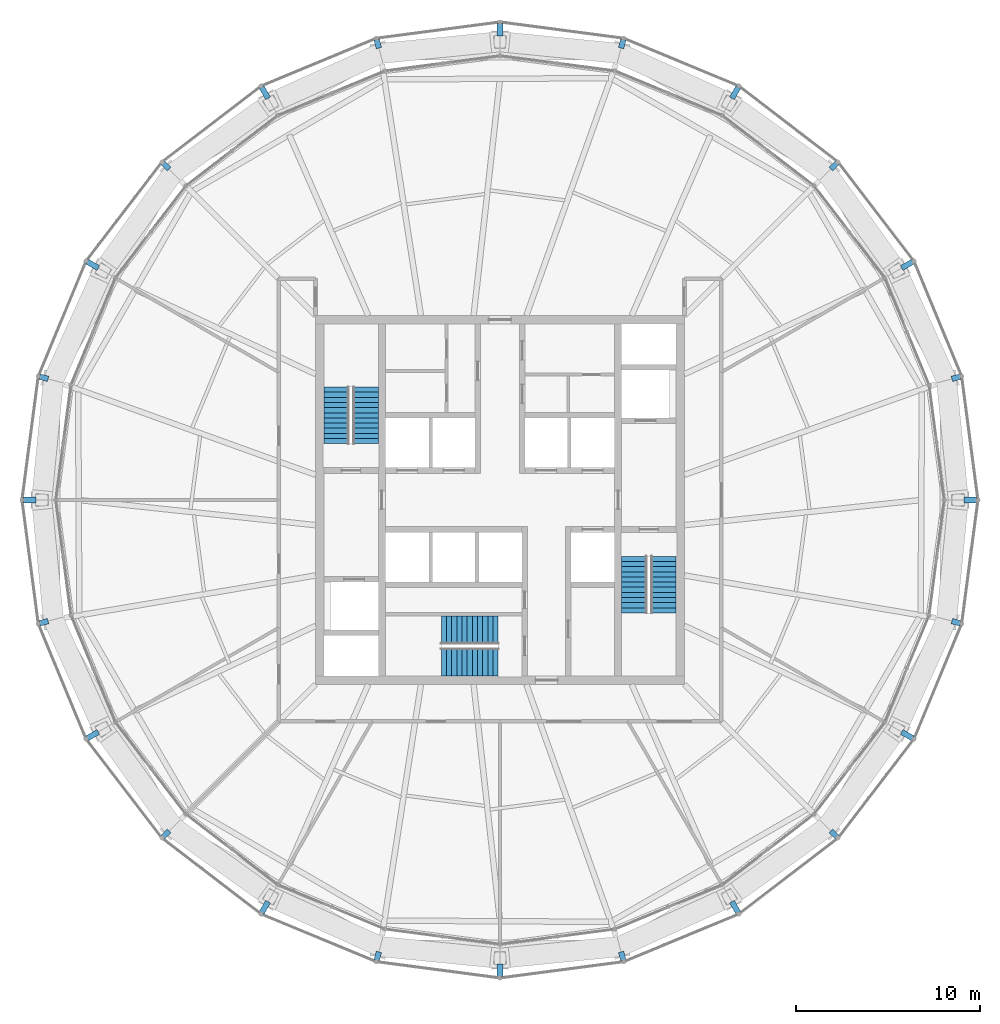
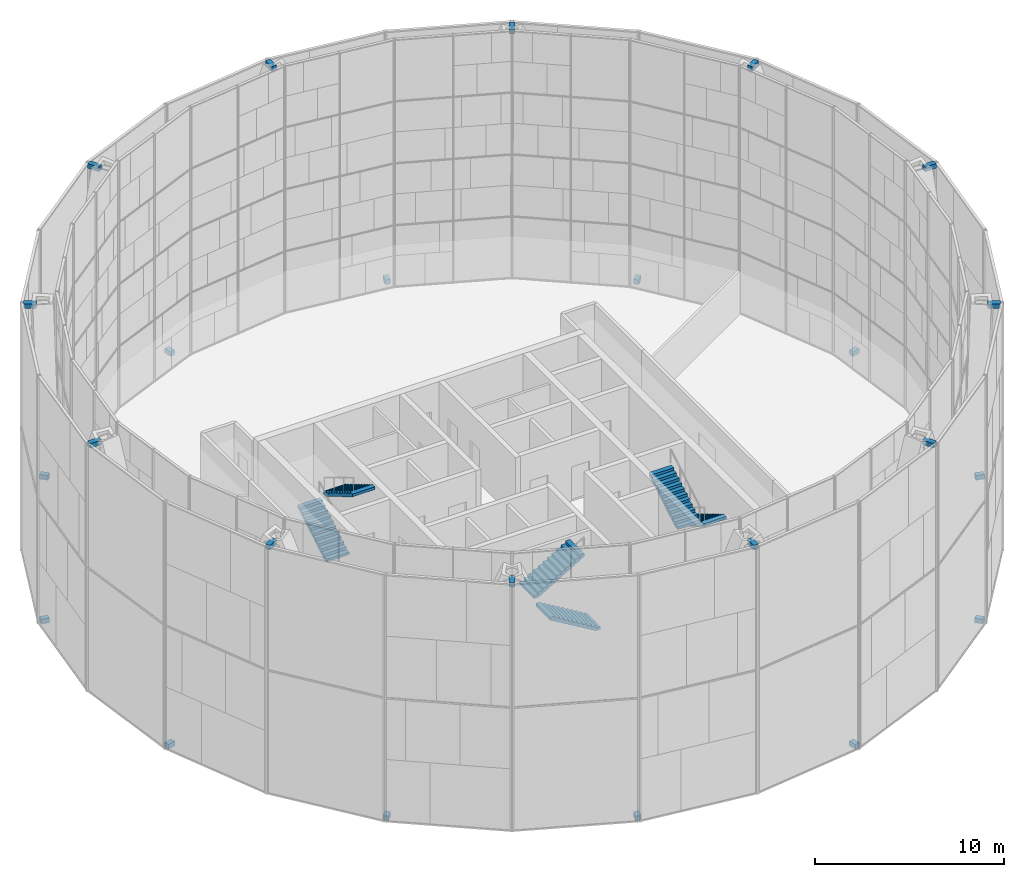
# One storey, part 29 of 30: 24 discrete accessories, 6 stair flights, 3 elements without a shape of their own.
"""IFC4 building model written with IfcOpenShell, lengths in metres."""

from ifc_helpers import new_model, si_unit, direction, frame, origin, origin_2d, place, context, subcontext, project, spatial, polyline, rectangle, outline, extrude, material, type_object, element, aggregate, save


model = new_model("IFC4")

# Units and contexts
model_context = context("Model", 3, precision=1e-05, world=origin(), true_north=direction((0.0, 1.0)))
body_context = subcontext(model_context, "Body", "Model", "MODEL_VIEW")
ifc_project = project(units=[si_unit("LENGTHUNIT", "METRE"), si_unit("AREAUNIT", "SQUARE_METRE"), si_unit("VOLUMEUNIT", "CUBIC_METRE"), si_unit("PLANEANGLEUNIT", "RADIAN"), si_unit("MASSUNIT", "GRAM", prefix="KILO")], contexts=[model_context])

# Site, building, storey
site_placement = place(None, origin())
site = spatial("IfcSite", under=ifc_project, at=site_placement, CompositionType="ELEMENT")
building_placement = place(site_placement, origin())
building = spatial("IfcBuilding", under=site, at=building_placement, Name="Golbaran Civic Tower", CompositionType="ELEMENT")
storey_placement = place(building_placement, frame((0.0, 0.0, 167.0)))
storey = spatial("IfcBuildingStorey", under=building, at=storey_placement, Name="L40", CompositionType="ELEMENT", Elevation=167.0)

# Stair, stair flights
ifc_material_1 = material(Name="Concrete C35/45", Category="concrete")
stair_type_1 = type_object("IfcStairType", Name="EXIT STAIR 2950 x 7800, 4000 RISE", PredefinedType="HALF_TURN_STAIR", material=ifc_material_1)
stair_1_placement = place(storey_placement, origin())
stair_1 = element("IfcStair", 1, at=stair_1_placement, inside=storey, type_object=stair_type_1, Name="Stair S1 L40", PredefinedType="HALF_TURN_STAIR")
stair_flight_type_1 = type_object("IfcStairFlightType", Name="STAIR FLIGHT 1375 WIDE", PredefinedType="STRAIGHT", material=ifc_material_1)
stair_flight_1_placement = place(storey_placement, frame((-8.862548828125, 3.050048828125, 0.0), z_axis=(0.0, 0.0, 1.0), x_axis=(0.0, 1.0, 0.0)))
stair_flight_1 = element("IfcStairFlight", 2, at=stair_flight_1_placement, type_object=stair_flight_type_1, Name="ST29578-40 flight 1", NumberOfRisers=12, NumberOfTreads=11, PredefinedType="STRAIGHT", RiserHeight=0.166666667, TreadLength=0.28, context=body_context, shape_type="SweptSolid", body=[
    extrude(outline(polyline([(0.0, 0.0), (0.0, 0.166748046875), (0.280029296875, 0.166748046875), (0.280029296875, 0.333251953125), (0.56005859375, 0.333251953125), (0.56005859375, 0.5), (0.840087890625, 0.5), (0.840087890625, 0.666748046875), (1.1201171875, 0.666748046875), (1.1201171875, 0.833251953125), (1.39990234375, 0.833251953125), (1.39990234375, 1.0), (1.679931640625, 1.0), (1.679931640625, 1.166748046875), (1.9599609375, 1.166748046875), (1.9599609375, 1.333251953125), (2.239990234375, 1.333251953125), (2.239990234375, 1.5), (2.52001953125, 1.5), (2.52001953125, 1.666748046875), (2.800048828125, 1.666748046875), (2.800048828125, 1.833251953125), (3.080078125, 1.833251953125), (3.080078125, 2.0), (3.080078125, 1.658935546875), (0.29296875, 0.0), (0.0, 0.0)])), frame((0.0, 0.6875, 0.0), z_axis=(0.0, -1.0, 0.0), x_axis=(1.0, 0.0, 0.0)), (0.0, 0.0, 1.0), 1.375),
])
stair_flight_2_placement = place(storey_placement, frame((-7.28759765625, 6.1298828125, 2.0), z_axis=(0.0, 0.0, 1.0), x_axis=(0.0, -1.0, 0.0)))
stair_flight_2 = element("IfcStairFlight", 3, at=stair_flight_2_placement, type_object=stair_flight_type_1, Name="ST29578-40 flight 2", NumberOfRisers=12, NumberOfTreads=11, PredefinedType="STRAIGHT", RiserHeight=0.166666667, TreadLength=0.28, context=body_context, shape_type="SweptSolid", body=[
    extrude(outline(polyline([(0.0, 0.0), (0.0, 0.166748046875), (0.280029296875, 0.166748046875), (0.280029296875, 0.333251953125), (0.56005859375, 0.333251953125), (0.56005859375, 0.5), (0.840087890625, 0.5), (0.840087890625, 0.666748046875), (1.1201171875, 0.666748046875), (1.1201171875, 0.833251953125), (1.39990234375, 0.833251953125), (1.39990234375, 1.0), (1.679931640625, 1.0), (1.679931640625, 1.166748046875), (1.9599609375, 1.166748046875), (1.9599609375, 1.333251953125), (2.239990234375, 1.333251953125), (2.239990234375, 1.5), (2.52001953125, 1.5), (2.52001953125, 1.666748046875), (2.800048828125, 1.666748046875), (2.800048828125, 1.833251953125), (3.080078125, 1.833251953125), (3.080078125, 2.0), (3.080078125, 1.658935546875), (0.29296875, 0.0), (0.0, 0.0)])), frame((0.0, 0.6875, 0.0), z_axis=(0.0, -1.0, 0.0), x_axis=(1.0, 0.0, 0.0)), (0.0, 0.0, 1.0), 1.375),
])
aggregate(stair_1, [stair_flight_1, stair_flight_2])

stair_2_placement = place(storey_placement, origin())
stair_2 = element("IfcStair", 4, at=stair_2_placement, inside=storey, type_object=stair_type_1, Name="Stair S2 L40", PredefinedType="HALF_TURN_STAIR")
stair_flight_3_placement = place(storey_placement, frame((8.862548828125, -3.050048828125, 0.0), z_axis=(0.0, 0.0, 1.0), x_axis=(0.0, -1.0, 0.0)))
stair_flight_3 = element("IfcStairFlight", 5, at=stair_flight_3_placement, type_object=stair_flight_type_1, Name="ST29578-40 flight 1", NumberOfRisers=12, NumberOfTreads=11, PredefinedType="STRAIGHT", RiserHeight=0.166666667, TreadLength=0.28, context=body_context, shape_type="SweptSolid", body=[
    extrude(outline(polyline([(0.0, 0.0), (0.0, 0.166748046875), (0.280029296875, 0.166748046875), (0.280029296875, 0.333251953125), (0.56005859375, 0.333251953125), (0.56005859375, 0.5), (0.840087890625, 0.5), (0.840087890625, 0.666748046875), (1.1201171875, 0.666748046875), (1.1201171875, 0.833251953125), (1.39990234375, 0.833251953125), (1.39990234375, 1.0), (1.679931640625, 1.0), (1.679931640625, 1.166748046875), (1.9599609375, 1.166748046875), (1.9599609375, 1.333251953125), (2.239990234375, 1.333251953125), (2.239990234375, 1.5), (2.52001953125, 1.5), (2.52001953125, 1.666748046875), (2.800048828125, 1.666748046875), (2.800048828125, 1.833251953125), (3.080078125, 1.833251953125), (3.080078125, 2.0), (3.080078125, 1.658935546875), (0.29296875, 0.0), (0.0, 0.0)])), frame((0.0, 0.6875, 0.0), z_axis=(0.0, -1.0, 0.0), x_axis=(1.0, 0.0, 0.0)), (0.0, 0.0, 1.0), 1.375),
])
stair_flight_4_placement = place(storey_placement, frame((7.28759765625, -6.1298828125, 2.0), z_axis=(0.0, 0.0, 1.0), x_axis=(0.0, 1.0, 0.0)))
stair_flight_4 = element("IfcStairFlight", 6, at=stair_flight_4_placement, type_object=stair_flight_type_1, Name="ST29578-40 flight 2", NumberOfRisers=12, NumberOfTreads=11, PredefinedType="STRAIGHT", RiserHeight=0.166666667, TreadLength=0.28, context=body_context, shape_type="SweptSolid", body=[
    extrude(outline(polyline([(0.0, 0.0), (0.0, 0.166748046875), (0.280029296875, 0.166748046875), (0.280029296875, 0.333251953125), (0.56005859375, 0.333251953125), (0.56005859375, 0.5), (0.840087890625, 0.5), (0.840087890625, 0.666748046875), (1.1201171875, 0.666748046875), (1.1201171875, 0.833251953125), (1.39990234375, 0.833251953125), (1.39990234375, 1.0), (1.679931640625, 1.0), (1.679931640625, 1.166748046875), (1.9599609375, 1.166748046875), (1.9599609375, 1.333251953125), (2.239990234375, 1.333251953125), (2.239990234375, 1.5), (2.52001953125, 1.5), (2.52001953125, 1.666748046875), (2.800048828125, 1.666748046875), (2.800048828125, 1.833251953125), (3.080078125, 1.833251953125), (3.080078125, 2.0), (3.080078125, 1.658935546875), (0.29296875, 0.0), (0.0, 0.0)])), frame((0.0, 0.6875, 0.0), z_axis=(0.0, -1.0, 0.0), x_axis=(1.0, 0.0, 0.0)), (0.0, 0.0, 1.0), 1.375),
])
aggregate(stair_2, [stair_flight_3, stair_flight_4])

stair_type_2 = type_object("IfcStairType", Name="EXIT STAIR 3250 x 7400, 4000 RISE", PredefinedType="HALF_TURN_STAIR", material=ifc_material_1)
stair_3_placement = place(storey_placement, origin())
stair_3 = element("IfcStair", 7, at=stair_3_placement, inside=storey, type_object=stair_type_2, Name="Stair S3 L40", PredefinedType="HALF_TURN_STAIR")
stair_flight_type_2 = type_object("IfcStairFlightType", Name="STAIR FLIGHT 1525 WIDE", PredefinedType="STRAIGHT", material=ifc_material_1)
stair_flight_5_placement = place(storey_placement, frame((-0.10009765625, -8.78759765625, 0.0), z_axis=(0.0, 0.0, 1.0), x_axis=(-1.0, 0.0, 0.0)))
stair_flight_5 = element("IfcStairFlight", 8, at=stair_flight_5_placement, type_object=stair_flight_type_2, Name="ST32574-40 flight 1", NumberOfRisers=12, NumberOfTreads=11, PredefinedType="STRAIGHT", RiserHeight=0.166666667, TreadLength=0.28, context=body_context, shape_type="SweptSolid", body=[
    extrude(outline(polyline([(0.0, 0.0), (0.0, 0.166748046875), (0.280029296875, 0.166748046875), (0.280029296875, 0.333251953125), (0.56005859375, 0.333251953125), (0.56005859375, 0.5), (0.840087890625, 0.5), (0.840087890625, 0.666748046875), (1.1201171875, 0.666748046875), (1.1201171875, 0.833251953125), (1.39990234375, 0.833251953125), (1.39990234375, 1.0), (1.679931640625, 1.0), (1.679931640625, 1.166748046875), (1.9599609375, 1.166748046875), (1.9599609375, 1.333251953125), (2.239990234375, 1.333251953125), (2.239990234375, 1.5), (2.52001953125, 1.5), (2.52001953125, 1.666748046875), (2.800048828125, 1.666748046875), (2.800048828125, 1.833251953125), (3.080078125, 1.833251953125), (3.080078125, 2.0), (3.080078125, 1.658935546875), (0.29296875, 0.0), (0.0, 0.0)])), frame((0.0, 0.762451171875, 0.0), z_axis=(0.0, -1.0, 0.0), x_axis=(1.0, 0.0, 0.0)), (0.0, 0.0, 1.0), 1.52490234375),
])
stair_flight_6_placement = place(storey_placement, frame((-3.179931640625, -7.0625, 2.0), z_axis=(0.0, 0.0, 1.0), x_axis=(1.0, 0.0, 0.0)))
stair_flight_6 = element("IfcStairFlight", 9, at=stair_flight_6_placement, type_object=stair_flight_type_2, Name="ST32574-40 flight 2", NumberOfRisers=12, NumberOfTreads=11, PredefinedType="STRAIGHT", RiserHeight=0.166666667, TreadLength=0.28, context=body_context, shape_type="SweptSolid", body=[
    extrude(outline(polyline([(0.0, 0.0), (0.0, 0.166748046875), (0.280029296875, 0.166748046875), (0.280029296875, 0.333251953125), (0.56005859375, 0.333251953125), (0.56005859375, 0.5), (0.840087890625, 0.5), (0.840087890625, 0.666748046875), (1.1201171875, 0.666748046875), (1.1201171875, 0.833251953125), (1.39990234375, 0.833251953125), (1.39990234375, 1.0), (1.679931640625, 1.0), (1.679931640625, 1.166748046875), (1.9599609375, 1.166748046875), (1.9599609375, 1.333251953125), (2.239990234375, 1.333251953125), (2.239990234375, 1.5), (2.52001953125, 1.5), (2.52001953125, 1.666748046875), (2.800048828125, 1.666748046875), (2.800048828125, 1.833251953125), (3.080078125, 1.833251953125), (3.080078125, 2.0), (3.080078125, 1.658935546875), (0.29296875, 0.0), (0.0, 0.0)])), frame((0.0, 0.762451171875, 0.0), z_axis=(0.0, -1.0, 0.0), x_axis=(1.0, 0.0, 0.0)), (0.0, 0.0, 1.0), 1.52490234375),
])
aggregate(stair_3, [stair_flight_5, stair_flight_6])

# Discrete accessories
ifc_material_2 = material(Name="Steel S355", Category="steel")
discrete_accessory_type = type_object("IfcDiscreteAccessoryType", Name="OUTER SKIN BRACKET", PredefinedType="BRACKET", material=ifc_material_2)
for number, where, z_axis, x_axis, name in (
    (10, (24.725830078125, 6.625244140625, -0.7099609375), (0.0, 0.0, 1.0), (0.965925826289, 0.258819045103, 0.0), "Outer skin bracket L40 node 1"),
    (11, (18.1005859375, 18.1005859375, -0.7099609375), (0.0, 0.0, 1.0), (0.707106781187, 0.707106781187, 0.0), "Outer skin bracket L40 node 2"),
    (12, (6.625244140625, 24.725830078125, -0.7099609375), (0.0, 0.0, 1.0), (0.258819045103, 0.965925826289, 0.0), "Outer skin bracket L40 node 3"),
    (13, (-6.625244140625, 24.725830078125, -0.7099609375), (0.0, 0.0, 1.0), (-0.258819045103, 0.965925826289, 0.0), "Outer skin bracket L40 node 4"),
    (14, (-18.1005859375, 18.1005859375, -0.7099609375), (0.0, 0.0, 1.0), (-0.707106781187, 0.707106781187, 0.0), "Outer skin bracket L40 node 5"),
    (15, (-24.725830078125, 6.625244140625, -0.7099609375), (0.0, 0.0, 1.0), (-0.965925826289, 0.258819045103, 0.0), "Outer skin bracket L40 node 6"),
    (16, (-24.725830078125, -6.625244140625, -0.7099609375), (0.0, 0.0, 1.0), (-0.965925826289, -0.258819045103, 0.0), "Outer skin bracket L40 node 7"),
    (17, (-18.1005859375, -18.1005859375, -0.7099609375), (0.0, 0.0, 1.0), (-0.707106781187, -0.707106781187, 0.0), "Outer skin bracket L40 node 8"),
    (18, (-6.625244140625, -24.725830078125, -0.7099609375), (0.0, 0.0, 1.0), (-0.258819045103, -0.965925826289, 0.0), "Outer skin bracket L40 node 9"),
    (19, (6.625244140625, -24.725830078125, -0.7099609375), (0.0, 0.0, 1.0), (0.258819045103, -0.965925826289, 0.0), "Outer skin bracket L40 node 10"),
    (20, (18.1005859375, -18.1005859375, -0.7099609375), (0.0, 0.0, 1.0), (0.707106781187, -0.707106781187, 0.0), "Outer skin bracket L40 node 11"),
    (21, (24.725830078125, -6.625244140625, -0.7099609375), (0.0, 0.0, 1.0), (0.965925826289, -0.258819045103, 0.0), "Outer skin bracket L40 node 12"),
):
    element("IfcDiscreteAccessory", number, at=place(storey_placement, frame(where, z_axis=z_axis, x_axis=x_axis)), inside=storey, type_object=discrete_accessory_type, Name=name, PredefinedType="BRACKET", context=body_context, shape_type="SweptSolid", body=[
        extrude(rectangle(XDim=0.469970703125, YDim=0.300048828125, at=origin_2d()), origin(), (0.0, 0.0, 1.0), 0.300048828125),
    ])
for number, where, z_axis, x_axis, name in (
    (22, (25.489990234375, 0.0, 14.98974609375), (0.0, 0.0, 1.0), (1.0, 0.0, 0.0), "Outer skin head bracket L40 node 1"),
    (23, (22.074951171875, 12.7451171875, 14.98974609375), (0.0, 0.0, 1.0), (0.866025403784, 0.5, 0.0), "Outer skin head bracket L40 node 2"),
    (24, (12.7451171875, 22.074951171875, 14.98974609375), (0.0, 0.0, 1.0), (0.5, 0.866025403784, 0.0), "Outer skin head bracket L40 node 3"),
    (25, (0.0, 25.489990234375, 14.98974609375), (0.0, 0.0, 1.0), (0.0, 1.0, 0.0), "Outer skin head bracket L40 node 4"),
    (26, (-12.7451171875, 22.074951171875, 14.98974609375), (0.0, 0.0, 1.0), (-0.5, 0.866025403784, 0.0), "Outer skin head bracket L40 node 5"),
    (27, (-22.074951171875, 12.7451171875, 14.98974609375), (0.0, 0.0, 1.0), (-0.866025403784, 0.5, 0.0), "Outer skin head bracket L40 node 6"),
    (28, (-25.489990234375, 0.0, 14.98974609375), (0.0, 0.0, 1.0), (-1.0, 0.0, 0.0), "Outer skin head bracket L40 node 7"),
    (29, (-22.074951171875, -12.7451171875, 14.98974609375), (0.0, 0.0, 1.0), (-0.866025403784, -0.5, 0.0), "Outer skin head bracket L40 node 8"),
    (30, (-12.7451171875, -22.074951171875, 14.98974609375), (0.0, 0.0, 1.0), (-0.5, -0.866025403784, 0.0), "Outer skin head bracket L40 node 9"),
    (31, (0.0, -25.489990234375, 14.98974609375), (0.0, 0.0, 1.0), (0.0, -1.0, 0.0), "Outer skin head bracket L40 node 10"),
    (32, (12.7451171875, -22.074951171875, 14.98974609375), (0.0, 0.0, 1.0), (0.5, -0.866025403784, 0.0), "Outer skin head bracket L40 node 11"),
    (33, (22.074951171875, -12.7451171875, 14.98974609375), (0.0, 0.0, 1.0), (0.866025403784, -0.5, 0.0), "Outer skin head bracket L40 node 12"),
):
    element("IfcDiscreteAccessory", number, at=place(storey_placement, frame(where, z_axis=z_axis, x_axis=x_axis)), inside=storey, type_object=discrete_accessory_type, Name=name, PredefinedType="BRACKET", context=body_context, shape_type="SweptSolid", body=[
        extrude(rectangle(XDim=0.68603515625, YDim=0.300048828125, at=origin_2d()), origin(), (0.0, 0.0, 1.0), 0.300048828125),
    ])

save(model, "model.ifc")
